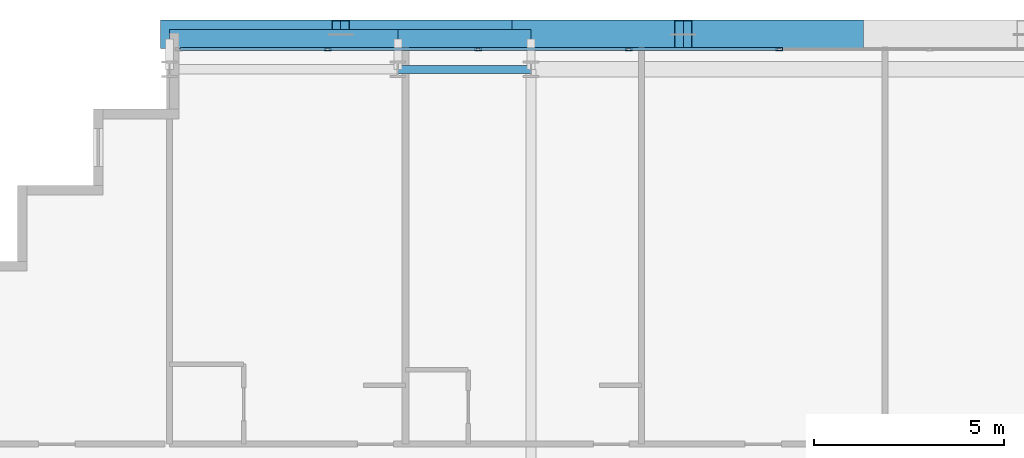
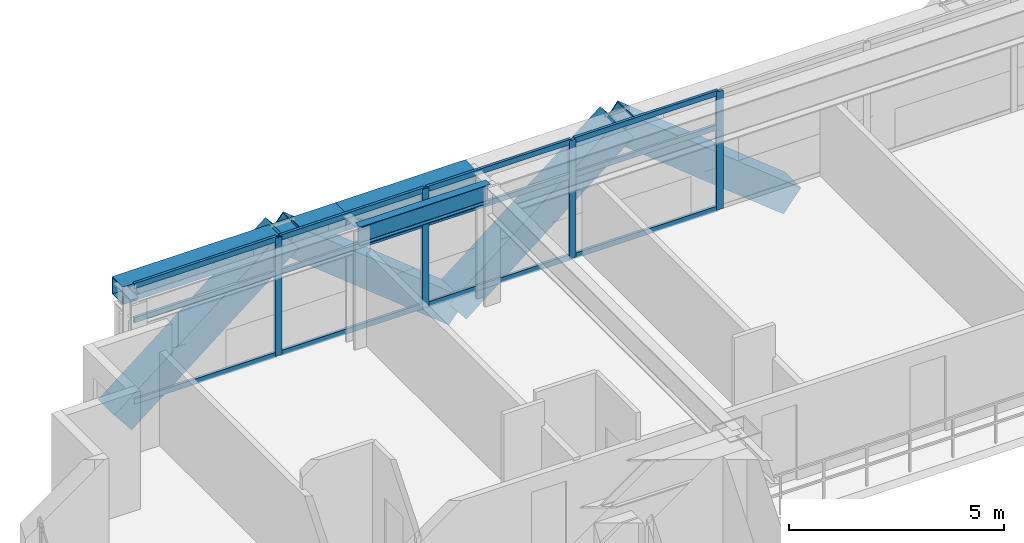
# One storey, part 18 of 35: 20 members, 3 beams, 1 element without a shape of its own.
"""IFC4 building model written with IfcOpenShell, lengths in metres."""

import ifcopenshell
import ifcopenshell.guid

model = None  # the IFC model being written
_history = None  # IfcOwnerHistory: only IFC2X3 demands one
_inside = {}  # id of a spatial element -> (the spatial element, [elements in it])
_under = {}  # id of a project, library or spatial element -> (it, [spatial elements below it])
_declared = {}  # id of a project -> (the project, [libraries it declares])
_typed = {}  # id of a type object -> (the type object, [elements of that type])
_made_of = {}  # id of a material, layer set ... -> (it, [elements and type objects made of it])


def new_model(schema):
    """Start an empty IFC model of exactly this schema.

    Asked for "IFC4X3", IfcOpenShell would pick the latest addendum, in which some entities
    have other attributes; the version numbers below select the first issue.
    IFC2X3 requires an IfcOwnerHistory on every rooted entity: one is made here for all.
    """
    global model, _history
    if schema == "IFC4X3":
        model = ifcopenshell.file(schema_version=(4, 3, 0, 0))
    else:
        model = ifcopenshell.file(schema=schema)
    _inside.clear()
    _under.clear()
    _declared.clear()
    _typed.clear()
    _made_of.clear()
    _history = None
    if model.schema == "IFC2X3":
        org = make("IfcOrganization", Name="unknown")
        user = make(
            "IfcPersonAndOrganization",
            ThePerson=make("IfcPerson", FamilyName="unknown"),
            TheOrganization=org,
        )
        app = make(
            "IfcApplication",
            ApplicationDeveloper=org,
            Version="unknown",
            ApplicationFullName="unknown",
            ApplicationIdentifier="unknown",
        )
        _history = make(
            "IfcOwnerHistory",
            OwningUser=user,
            OwningApplication=app,
            ChangeAction="ADDED",
            CreationDate=0,
        )
    return model


def make(cls, **values):
    """One entity of the class cls with the attributes given. An attribute that is None is left unset."""
    return model.create_entity(
        cls, **{name: value for name, value in values.items() if value is not None}
    )


def rooted(cls, **values):
    """An entity with a GlobalId (a new one), such as an element, a storey or a relation."""
    return make(cls, GlobalId=ifcopenshell.guid.new(), OwnerHistory=_history, **values)


def si_unit(unit_type, name, prefix=None):
    """IfcSIUnit, for example si_unit("LENGTHUNIT", "METRE", prefix="MILLI")."""
    return make("IfcSIUnit", UnitType=unit_type, Prefix=prefix, Name=name)


def assignment(units):
    """IfcUnitAssignment: the units of a project."""
    return None if units is None else make("IfcUnitAssignment", Units=units)


def point(xyz):
    """IfcCartesianPoint."""
    return None if xyz is None else make("IfcCartesianPoint", Coordinates=xyz)


def direction(xyz):
    """IfcDirection."""
    return None if xyz is None else make("IfcDirection", DirectionRatios=xyz)


def frame(location, z_axis=None, x_axis=None):
    """IfcAxis2Placement3D, a coordinate frame: its origin and axes. An axis left out is left unset."""
    return make(
        "IfcAxis2Placement3D",
        Location=point(location),
        Axis=direction(z_axis),
        RefDirection=direction(x_axis),
    )


def frame_2d(location, x_axis=None):
    """IfcAxis2Placement2D, a coordinate frame in the plane: its origin and x axis."""
    return make(
        "IfcAxis2Placement2D", Location=point(location), RefDirection=direction(x_axis)
    )


def origin():
    """The frame at (0, 0, 0) with its axes left unset."""
    return frame((0.0, 0.0, 0.0))


def origin_2d():
    """The frame at (0, 0) in the plane with its x axis left unset."""
    return frame_2d((0.0, 0.0))


def place(relative_to, where):
    """IfcLocalPlacement: puts the frame where relative to a parent placement (None: the world)."""
    return make(
        "IfcLocalPlacement", PlacementRelTo=relative_to, RelativePlacement=where
    )


def context(
    kind, dimensions, precision=None, world=None, true_north=None, identifier=None
):
    """IfcGeometricRepresentationContext, for example the 3D "Model" context."""
    return make(
        "IfcGeometricRepresentationContext",
        ContextIdentifier=identifier,
        ContextType=kind,
        CoordinateSpaceDimension=dimensions,
        Precision=precision,
        WorldCoordinateSystem=world,
        TrueNorth=true_north,
    )


def subcontext(parent, identifier, kind, view, scale=None):
    """IfcGeometricRepresentationSubContext, for example "Body" below "Model"."""
    return make(
        "IfcGeometricRepresentationSubContext",
        ContextIdentifier=identifier,
        ContextType=kind,
        ParentContext=parent,
        TargetScale=scale,
        TargetView=view,
    )


def project(units=None, contexts=None):
    """IfcProject with its units and contexts."""
    return rooted(
        "IfcProject",
        Name="project",
        RepresentationContexts=contexts,
        UnitsInContext=assignment(units),
    )


def spatial(cls, under=None, at=None, **own):
    """A site, building, storey or space (cls), placed at a placement, below another one or the project."""
    s = rooted(cls, ObjectPlacement=at, **own)
    if under is not None:
        _under.setdefault(under.id(), (under, []))[1].append(s)
    return s


def profile(cls, at=None, kind="AREA", **sizes):
    """A parametric profile (cls). Its sizes go by their IFC names, for example OverallWidth=200.0."""
    return make(cls, ProfileType=kind, Position=at, **sizes)


def hollow_rectangle(**sizes):
    """IfcRectangleHollowProfileDef."""
    return profile("IfcRectangleHollowProfileDef", **sizes)


def i_section(**sizes):
    """IfcIShapeProfileDef."""
    return profile("IfcIShapeProfileDef", **sizes)


def extrude(swept, where, along, depth):
    """IfcExtrudedAreaSolid: the profile swept, set in the frame where, extruded along a direction by depth."""
    return make(
        "IfcExtrudedAreaSolid",
        SweptArea=swept,
        Position=where,
        ExtrudedDirection=direction(along),
        Depth=depth,
    )


def shape(context_of_items, identifier, shape_type, items):
    """IfcShapeRepresentation: the items that make up one representation, for example the "Body"."""
    return make(
        "IfcShapeRepresentation",
        ContextOfItems=context_of_items,
        RepresentationIdentifier=identifier,
        RepresentationType=shape_type,
        Items=items,
    )


def source(mapping_origin, context_of_items, identifier, shape_type, items):
    """IfcRepresentationMap: a shape defined once, which mapped items show again and again."""
    return make(
        "IfcRepresentationMap",
        MappingOrigin=mapping_origin,
        MappedRepresentation=shape(context_of_items, identifier, shape_type, items),
    )


def transform(
    local_origin,
    x_axis=None,
    y_axis=None,
    z_axis=None,
    scale=None,
    scale2=None,
    scale3=None,
    uniform=True,
):
    """IfcCartesianTransformationOperator3D, or its non-uniform kind. x_axis, y_axis, z_axis: its Axis1, 2, 3."""
    if uniform:
        return make(
            "IfcCartesianTransformationOperator3D",
            Axis1=direction(x_axis),
            Axis2=direction(y_axis),
            LocalOrigin=point(local_origin),
            Scale=scale,
            Axis3=direction(z_axis),
        )
    return make(
        "IfcCartesianTransformationOperator3DnonUniform",
        Axis1=direction(x_axis),
        Axis2=direction(y_axis),
        LocalOrigin=point(local_origin),
        Scale=scale,
        Axis3=direction(z_axis),
        Scale2=scale2,
        Scale3=scale3,
    )


def mapped(mapping_source, mapping_target):
    """IfcMappedItem: shows the shape of a source again, moved by a transform."""
    return make(
        "IfcMappedItem", MappingSource=mapping_source, MappingTarget=mapping_target
    )


def material(Name=None, Category=None):
    """IfcMaterial."""
    return make("IfcMaterial", Name=Name, Category=Category)


def layer(
    of_material, thickness, ventilated=None, Name=None, Category=None, Priority=None
):
    """IfcMaterialLayer: one layer of a wall or slab, of a material (None: an air gap)."""
    return make(
        "IfcMaterialLayer",
        Material=of_material,
        LayerThickness=thickness,
        IsVentilated=ventilated,
        Name=Name,
        Category=Category,
        Priority=Priority,
    )


def layer_set(layers, Name=None):
    """IfcMaterialLayerSet."""
    return make("IfcMaterialLayerSet", MaterialLayers=layers, LayerSetName=Name)


def material_profile(
    of_material, cross_section, Name=None, Category=None, Priority=None
):
    """IfcMaterialProfile: a cross section and its material."""
    return make(
        "IfcMaterialProfile",
        Name=Name,
        Material=of_material,
        Profile=cross_section,
        Priority=Priority,
        Category=Category,
    )


def profile_set(profiles, Name=None, composite=None):
    """IfcMaterialProfileSet."""
    return make(
        "IfcMaterialProfileSet",
        Name=Name,
        MaterialProfiles=profiles,
        CompositeProfile=composite,
    )


def made_of(thing, what):
    """Note that an element or type object is made of a material, layer set ...; save() writes the relation."""
    if what is not None:
        _made_of.setdefault(what.id(), (what, []))[1].append(thing)
    return thing


def type_object(cls, material=None, **own):
    """A type object (cls), such as IfcWallType, which elements share."""
    return made_of(rooted(cls, **own), material)


def element(
    cls,
    number,
    at=None,
    inside=None,
    cuts=None,
    type_object=None,
    material=None,
    context=None,
    identifier="Body",
    shape_type=None,
    held_by="IfcProductDefinitionShape",
    body=None,
    shapes=None,
    **own,
):
    """One element of the class cls, such as IfcWall. Its Tag is "e" and its number.

    at: its placement. inside: the storey or other place that contains it. cuts: it is an
    opening in that element (IfcRelVoidsElement). A single representation is given by context,
    identifier, shape_type and body (its items); several are given by shapes. held_by: the class
    of the entity that holds the representations. save() writes the other relations.
    """
    e = rooted(cls, Tag="e%d" % number, ObjectPlacement=at, **own)
    if body is not None:
        shapes = [shape(context, identifier, shape_type, body)]
    if shapes is not None:
        e.Representation = make(held_by, Representations=shapes)
    if inside is not None:
        _inside.setdefault(inside.id(), (inside, []))[1].append(e)
    if cuts is not None:
        rooted(
            "IfcRelVoidsElement", RelatingBuildingElement=cuts, RelatedOpeningElement=e
        )
    if type_object is not None:
        _typed.setdefault(type_object.id(), (type_object, []))[1].append(e)
    return made_of(e, material)


def aggregate(whole, parts):
    """IfcRelAggregates: a whole, such as a stair, and the parts it consists of."""
    return rooted("IfcRelAggregates", RelatingObject=whole, RelatedObjects=parts)


def save(model, path):
    """Write the relations noted so far, then the file.

    IfcRelAggregates (storeys below a building ...), IfcRelContainedInSpatialStructure (elements
    in a storey), IfcRelDefinesByType, IfcRelAssociatesMaterial and IfcRelDeclares: one each for
    every whole, place, type object, material and project.
    """
    for whole, parts in _under.values():
        aggregate(whole, parts)
    for where, things in _inside.values():
        rooted(
            "IfcRelContainedInSpatialStructure",
            RelatedElements=things,
            RelatingStructure=where,
        )
    for kind, things in _typed.values():
        rooted("IfcRelDefinesByType", RelatedObjects=things, RelatingType=kind)
    for what, things in _made_of.values():
        rooted("IfcRelAssociatesMaterial", RelatedObjects=things, RelatingMaterial=what)
    for by, libraries in _declared.values():
        rooted("IfcRelDeclares", RelatingContext=by, RelatedDefinitions=libraries)
    model.write(path)


model = new_model("IFC4")

# Units and contexts
model_context = context("Model", 3, precision=1e-05, world=origin(), true_north=direction((0.0, 1.0)))
body_context = subcontext(model_context, "Body", "Model", "MODEL_VIEW")
ifc_project = project(units=[si_unit("LENGTHUNIT", "METRE"), si_unit("AREAUNIT", "SQUARE_METRE"), si_unit("VOLUMEUNIT", "CUBIC_METRE"), si_unit("PLANEANGLEUNIT", "RADIAN"), si_unit("MASSUNIT", "GRAM", prefix="KILO")], contexts=[model_context])

# Site, building, storey
site_placement = place(None, origin())
site = spatial("IfcSite", under=ifc_project, at=site_placement, CompositionType="ELEMENT")
building_placement = place(site_placement, origin())
building = spatial("IfcBuilding", under=site, at=building_placement, Name="Ocotamira Hotel", CompositionType="ELEMENT")
storey_placement = place(building_placement, frame((0.0, 0.0, 118.800048828125)))
storey = spatial("IfcBuildingStorey", under=building, at=storey_placement, Name="L29", CompositionType="ELEMENT", Elevation=118.800048828125)

# Beams
ifc_material_1 = material(Name="Steel ASTM A992 Grade 50", Category="steel")
ifc_material_profile_1 = material_profile(ifc_material_1, i_section(OverallWidth=0.2099609375, OverallDepth=0.537109375, WebThickness=0.010986328125, FlangeThickness=0.017333984375, FilletRadius=0.012939453125, at=origin_2d()), Name="W21X68")
ifc_profile_set_1 = profile_set([ifc_material_profile_1], Name="Steel ASTM A992 Grade 50")
beam_type_1 = type_object("IfcBeamType", Name="BM-SEC-W21X68", PredefinedType="JOIST", material=ifc_profile_set_1)
shared_shape_1 = source(origin(), body_context, "Body", "SweptSolid", [
    extrude(i_section(OverallWidth=0.2099609375, OverallDepth=0.537109375, WebThickness=0.010986328125, FlangeThickness=0.017333984375, FilletRadius=0.012939453125, at=origin_2d()), origin(), (0.0, 0.0, 1.0), 3.5),
])
beam_1_placement = place(storey_placement, frame((20.0, 49.050048828125, 3.091552734375), z_axis=(1.0, 0.0, 0.0), x_axis=(0.0, 1.0, 0.0)))
element("IfcBeam", 1, at=beam_1_placement, inside=storey, type_object=beam_type_1, Name="L29 Girder Y49.05 X20-23.5", PredefinedType="JOIST", context=body_context, shape_type="MappedRepresentation", body=[
    mapped(shared_shape_1, transform((0.0, 0.0, 0.0), scale=1.0)),
])
ifc_material_2 = material(Name="Steel ASTM A500 Grade C", Category="steel")
ifc_material_profile_2 = material_profile(ifc_material_2, hollow_rectangle(XDim=0.5, YDim=0.5, WallThickness=0.02001953125, at=origin_2d()), Name="HSS500X500X20")
ifc_profile_set_2 = profile_set([ifc_material_profile_2], Name="Steel ASTM A500 Grade C")
beam_type_2 = type_object("IfcBeamType", Name="BM-SPAN-HSS500", PredefinedType="USERDEFINED", material=ifc_profile_set_2)
shared_shape_2 = source(origin(), body_context, "Body", "SweptSolid", [
    extrude(hollow_rectangle(XDim=0.5, YDim=0.5, WallThickness=0.02001953125, at=origin_2d()), origin(), (0.0, 0.0, 1.0), 6.0),
])
beam_2_placement = place(storey_placement, frame((14.0, 49.85009765625, 3.10986328125), z_axis=(1.0, 0.0, 0.0), x_axis=(0.0, 1.0, 0.0)))
element("IfcBeam", 2, at=beam_2_placement, inside=storey, type_object=beam_type_2, Name="L29 Edge Spandrel N X14-20", ObjectType="SPANDREL", PredefinedType="USERDEFINED", context=body_context, shape_type="MappedRepresentation", body=[
    mapped(shared_shape_2, transform((0.0, 0.0, 0.0), scale=1.0)),
])
shared_shape_3 = source(origin(), body_context, "Body", "SweptSolid", [
    extrude(hollow_rectangle(XDim=0.5, YDim=0.5, WallThickness=0.02001953125, at=origin_2d()), origin(), (0.0, 0.0, 1.0), 3.5),
])
beam_3_placement = place(storey_placement, frame((20.0, 49.85009765625, 3.10986328125), z_axis=(1.0, 0.0, 0.0), x_axis=(0.0, 1.0, 0.0)))
element("IfcBeam", 3, at=beam_3_placement, inside=storey, type_object=beam_type_2, Name="L29 Edge Spandrel N X20-23.5", ObjectType="SPANDREL", PredefinedType="USERDEFINED", context=body_context, shape_type="MappedRepresentation", body=[
    mapped(shared_shape_3, transform((0.0, 0.0, 0.0), scale=1.0)),
])

# Members
ifc_material_3 = material(Name="Pale-metal coated steel ASTM A913 Grade 65", Category="steel")
ifc_material_profile_3 = material_profile(ifc_material_3, hollow_rectangle(XDim=0.75, YDim=0.75, WallThickness=0.028076171875, at=origin_2d()), Name="BOX750X750X28")
ifc_profile_set_3 = profile_set([ifc_material_profile_3], Name="Pale-metal coated steel ASTM A913 Grade 65")
member_type_1 = type_object("IfcMemberType", Name="MEM-EXO-BOX750", PredefinedType="BRACE", material=ifc_profile_set_3)
shared_shape_4 = source(origin(), body_context, "Body", "SweptSolid", [
    extrude(hollow_rectangle(XDim=0.75, YDim=0.75, WallThickness=0.028076171875, at=origin_2d()), origin(), (0.0, 0.0, 1.0), 5.7626953125),
])
for number, where, z_axis, x_axis, name in (
    (4, (14.0, 49.969970703125, -0.489990234375), (0.780881208953, 0.0, 0.624679547852), (0.0, 1.0, 0.0), "L29 Exoskeleton Diagrid N0.1"),
    (5, (23.0, 49.969970703125, -0.489990234375), (-0.780881208953, 0.0, 0.624679547852), (0.0, -1.0, 0.0), "L29 Exoskeleton Diagrid N0.2"),
    (6, (23.0, 49.969970703125, -0.489990234375), (0.780881208953, 0.0, 0.624679547852), (0.0, 1.0, 0.0), "L29 Exoskeleton Diagrid N1.1"),
    (7, (32.0, 49.969970703125, -0.489990234375), (-0.780881208953, 0.0, 0.624679547852), (0.0, -1.0, 0.0), "L29 Exoskeleton Diagrid N1.2"),
):
    element("IfcMember", number, at=place(storey_placement, frame(where, z_axis=z_axis, x_axis=x_axis)), inside=storey, type_object=member_type_1, Name=name, PredefinedType="BRACE", context=body_context, shape_type="MappedRepresentation", body=[
        mapped(shared_shape_4, transform((0.0, 0.0, 0.0), scale=1.0)),
    ])

# Curtain wall, members
ifc_material_4 = material(Name="Anodised pale-metal aluminium and solar glass", Category="aluminium")
ifc_layer = layer(ifc_material_4, 0.179931640625)
ifc_layer_set = layer_set([ifc_layer], Name="Anodised pale-metal aluminium and solar glass")
curtain_wall_type = type_object("IfcCurtainWallType", Name="CW-SYS3-Z2", PredefinedType="NOTDEFINED", material=ifc_layer_set)
curtain_wall_placement = place(storey_placement, origin())
curtain_wall = element("IfcCurtainWall", 8, at=curtain_wall_placement, inside=storey, type_object=curtain_wall_type, Name="L29 Curtain Wall CW-3 CW-L29-N", PredefinedType="NOTDEFINED")
ifc_material_5 = material(Name="Anodised pale-metal aluminium 6063-T6", Category="aluminium")
ifc_material_profile_4 = material_profile(ifc_material_5, hollow_rectangle(XDim=0.074951171875, YDim=0.14990234375, WallThickness=0.006103515625, at=origin_2d()), Name="HSS150X75X6")
ifc_profile_set_4 = profile_set([ifc_material_profile_4], Name="Anodised pale-metal aluminium 6063-T6")
member_type_2 = type_object("IfcMemberType", Name="CWT-150X75", PredefinedType="USERDEFINED", material=ifc_profile_set_4)
shared_shape_5 = source(origin(), body_context, "Body", "SweptSolid", [
    extrude(hollow_rectangle(XDim=0.074951171875, YDim=0.14990234375, WallThickness=0.006103515625, at=origin_2d()), origin(), (0.0, 0.0, 1.0), 3.83544921875),
])
member_1_placement = place(storey_placement, frame((14.280029296875, 49.580078125, 0.037353515625), z_axis=(1.0, 0.0, 0.0), x_axis=(0.0, 1.0, 0.0)))
member_1 = element("IfcMember", 9, at=member_1_placement, type_object=member_type_2, Name="CW-3 transom 1.1", ObjectType="TRANSOM", PredefinedType="USERDEFINED", context=body_context, shape_type="MappedRepresentation", body=[
    mapped(shared_shape_5, transform((0.0, 0.0, 0.0), scale=1.0)),
])
member_2_placement = place(storey_placement, frame((14.280029296875, 49.580078125, 2.349853515625), z_axis=(1.0, 0.0, 0.0), x_axis=(0.0, 1.0, 0.0)))
member_2 = element("IfcMember", 10, at=member_2_placement, type_object=member_type_2, Name="CW-3 transom 1.2", ObjectType="TRANSOM", PredefinedType="USERDEFINED", context=body_context, shape_type="MappedRepresentation", body=[
    mapped(shared_shape_5, transform((0.0, 0.0, 0.0), scale=1.0)),
])
member_3_placement = place(storey_placement, frame((14.280029296875, 49.580078125, 3.322509765625), z_axis=(1.0, 0.0, 0.0), x_axis=(0.0, 1.0, 0.0)))
member_3 = element("IfcMember", 11, at=member_3_placement, type_object=member_type_2, Name="CW-3 transom 1.3", ObjectType="TRANSOM", PredefinedType="USERDEFINED", context=body_context, shape_type="MappedRepresentation", body=[
    mapped(shared_shape_5, transform((0.0, 0.0, 0.0), scale=1.0)),
])
shared_shape_6 = source(origin(), body_context, "Body", "SweptSolid", [
    extrude(hollow_rectangle(XDim=0.074951171875, YDim=0.14990234375, WallThickness=0.006103515625, at=origin_2d()), origin(), (0.0, 0.0, 1.0), 3.87548828125),
])
member_4_placement = place(storey_placement, frame((18.195556640625, 49.580078125, 0.037353515625), z_axis=(1.0, 0.0, 0.0), x_axis=(0.0, 1.0, 0.0)))
member_4 = element("IfcMember", 12, at=member_4_placement, type_object=member_type_2, Name="CW-3 transom 2.1", ObjectType="TRANSOM", PredefinedType="USERDEFINED", context=body_context, shape_type="MappedRepresentation", body=[
    mapped(shared_shape_6, transform((0.0, 0.0, 0.0), scale=1.0)),
])
member_5_placement = place(storey_placement, frame((18.195556640625, 49.580078125, 2.349853515625), z_axis=(1.0, 0.0, 0.0), x_axis=(0.0, 1.0, 0.0)))
member_5 = element("IfcMember", 13, at=member_5_placement, type_object=member_type_2, Name="CW-3 transom 2.2", ObjectType="TRANSOM", PredefinedType="USERDEFINED", context=body_context, shape_type="MappedRepresentation", body=[
    mapped(shared_shape_6, transform((0.0, 0.0, 0.0), scale=1.0)),
])
member_6_placement = place(storey_placement, frame((18.195556640625, 49.580078125, 3.322509765625), z_axis=(1.0, 0.0, 0.0), x_axis=(0.0, 1.0, 0.0)))
member_6 = element("IfcMember", 14, at=member_6_placement, type_object=member_type_2, Name="CW-3 transom 2.3", ObjectType="TRANSOM", PredefinedType="USERDEFINED", context=body_context, shape_type="MappedRepresentation", body=[
    mapped(shared_shape_6, transform((0.0, 0.0, 0.0), scale=1.0)),
])
member_7_placement = place(storey_placement, frame((22.151123046875, 49.580078125, 0.037353515625), z_axis=(1.0, 0.0, 0.0), x_axis=(0.0, 1.0, 0.0)))
member_7 = element("IfcMember", 15, at=member_7_placement, type_object=member_type_2, Name="CW-3 transom 3.1", ObjectType="TRANSOM", PredefinedType="USERDEFINED", context=body_context, shape_type="MappedRepresentation", body=[
    mapped(shared_shape_6, transform((0.0, 0.0, 0.0), scale=1.0)),
])
member_8_placement = place(storey_placement, frame((22.151123046875, 49.580078125, 2.349853515625), z_axis=(1.0, 0.0, 0.0), x_axis=(0.0, 1.0, 0.0)))
member_8 = element("IfcMember", 16, at=member_8_placement, type_object=member_type_2, Name="CW-3 transom 3.2", ObjectType="TRANSOM", PredefinedType="USERDEFINED", context=body_context, shape_type="MappedRepresentation", body=[
    mapped(shared_shape_6, transform((0.0, 0.0, 0.0), scale=1.0)),
])
member_9_placement = place(storey_placement, frame((22.151123046875, 49.580078125, 3.322509765625), z_axis=(1.0, 0.0, 0.0), x_axis=(0.0, 1.0, 0.0)))
member_9 = element("IfcMember", 17, at=member_9_placement, type_object=member_type_2, Name="CW-3 transom 3.3", ObjectType="TRANSOM", PredefinedType="USERDEFINED", context=body_context, shape_type="MappedRepresentation", body=[
    mapped(shared_shape_6, transform((0.0, 0.0, 0.0), scale=1.0)),
])
member_10_placement = place(storey_placement, frame((26.106689453125, 49.580078125, 0.037353515625), z_axis=(1.0, 0.0, 0.0), x_axis=(0.0, 1.0, 0.0)))
member_10 = element("IfcMember", 18, at=member_10_placement, type_object=member_type_2, Name="CW-3 transom 4.1", ObjectType="TRANSOM", PredefinedType="USERDEFINED", context=body_context, shape_type="MappedRepresentation", body=[
    mapped(shared_shape_6, transform((0.0, 0.0, 0.0), scale=1.0)),
])
member_11_placement = place(storey_placement, frame((26.106689453125, 49.580078125, 2.349853515625), z_axis=(1.0, 0.0, 0.0), x_axis=(0.0, 1.0, 0.0)))
member_11 = element("IfcMember", 19, at=member_11_placement, type_object=member_type_2, Name="CW-3 transom 4.2", ObjectType="TRANSOM", PredefinedType="USERDEFINED", context=body_context, shape_type="MappedRepresentation", body=[
    mapped(shared_shape_6, transform((0.0, 0.0, 0.0), scale=1.0)),
])
member_12_placement = place(storey_placement, frame((26.106689453125, 49.580078125, 3.322509765625), z_axis=(1.0, 0.0, 0.0), x_axis=(0.0, 1.0, 0.0)))
member_12 = element("IfcMember", 20, at=member_12_placement, type_object=member_type_2, Name="CW-3 transom 4.3", ObjectType="TRANSOM", PredefinedType="USERDEFINED", context=body_context, shape_type="MappedRepresentation", body=[
    mapped(shared_shape_6, transform((0.0, 0.0, 0.0), scale=1.0)),
])
ifc_material_profile_5 = material_profile(ifc_material_5, hollow_rectangle(XDim=0.080078125, YDim=0.179931640625, WallThickness=0.006103515625, at=origin_2d()), Name="HSS180X80X6")
ifc_profile_set_5 = profile_set([ifc_material_profile_5], Name="Anodised pale-metal aluminium 6063-T6")
member_type_3 = type_object("IfcMemberType", Name="CWM-180X75", PredefinedType="MULLION", material=ifc_profile_set_5)
shared_shape_7 = source(origin(), body_context, "Body", "SweptSolid", [
    extrude(hollow_rectangle(XDim=0.080078125, YDim=0.179931640625, WallThickness=0.006103515625, at=origin_2d()), origin(), (0.0, 0.0, 1.0), 3.35986328125),
])
member_13_placement = place(storey_placement, frame((18.155517578125, 49.580078125, 0.0), z_axis=(0.0, 0.0, 1.0), x_axis=(0.0, 1.0, 0.0)))
member_13 = element("IfcMember", 21, at=member_13_placement, type_object=member_type_3, Name="CW-3 mullion 2", PredefinedType="MULLION", context=body_context, shape_type="MappedRepresentation", body=[
    mapped(shared_shape_7, transform((0.0, 0.0, 0.0), scale=1.0)),
])
member_14_placement = place(storey_placement, frame((22.111083984375, 49.580078125, 0.0), z_axis=(0.0, 0.0, 1.0), x_axis=(0.0, 1.0, 0.0)))
member_14 = element("IfcMember", 22, at=member_14_placement, type_object=member_type_3, Name="CW-3 mullion 3", PredefinedType="MULLION", context=body_context, shape_type="MappedRepresentation", body=[
    mapped(shared_shape_7, transform((0.0, 0.0, 0.0), scale=1.0)),
])
member_15_placement = place(storey_placement, frame((26.066650390625, 49.580078125, 0.0), z_axis=(0.0, 0.0, 1.0), x_axis=(0.0, 1.0, 0.0)))
member_15 = element("IfcMember", 23, at=member_15_placement, type_object=member_type_3, Name="CW-3 mullion 4", PredefinedType="MULLION", context=body_context, shape_type="MappedRepresentation", body=[
    mapped(shared_shape_7, transform((0.0, 0.0, 0.0), scale=1.0)),
])
member_16_placement = place(storey_placement, frame((30.022216796875, 49.580078125, 0.0), z_axis=(0.0, 0.0, 1.0), x_axis=(0.0, 1.0, 0.0)))
member_16 = element("IfcMember", 24, at=member_16_placement, type_object=member_type_3, Name="CW-3 mullion 5", PredefinedType="MULLION", context=body_context, shape_type="MappedRepresentation", body=[
    mapped(shared_shape_7, transform((0.0, 0.0, 0.0), scale=1.0)),
])
aggregate(curtain_wall, [member_13, member_14, member_15, member_16, member_1, member_2, member_3, member_4, member_5, member_6, member_7, member_8, member_9, member_10, member_11, member_12])

save(model, "model.ifc")
